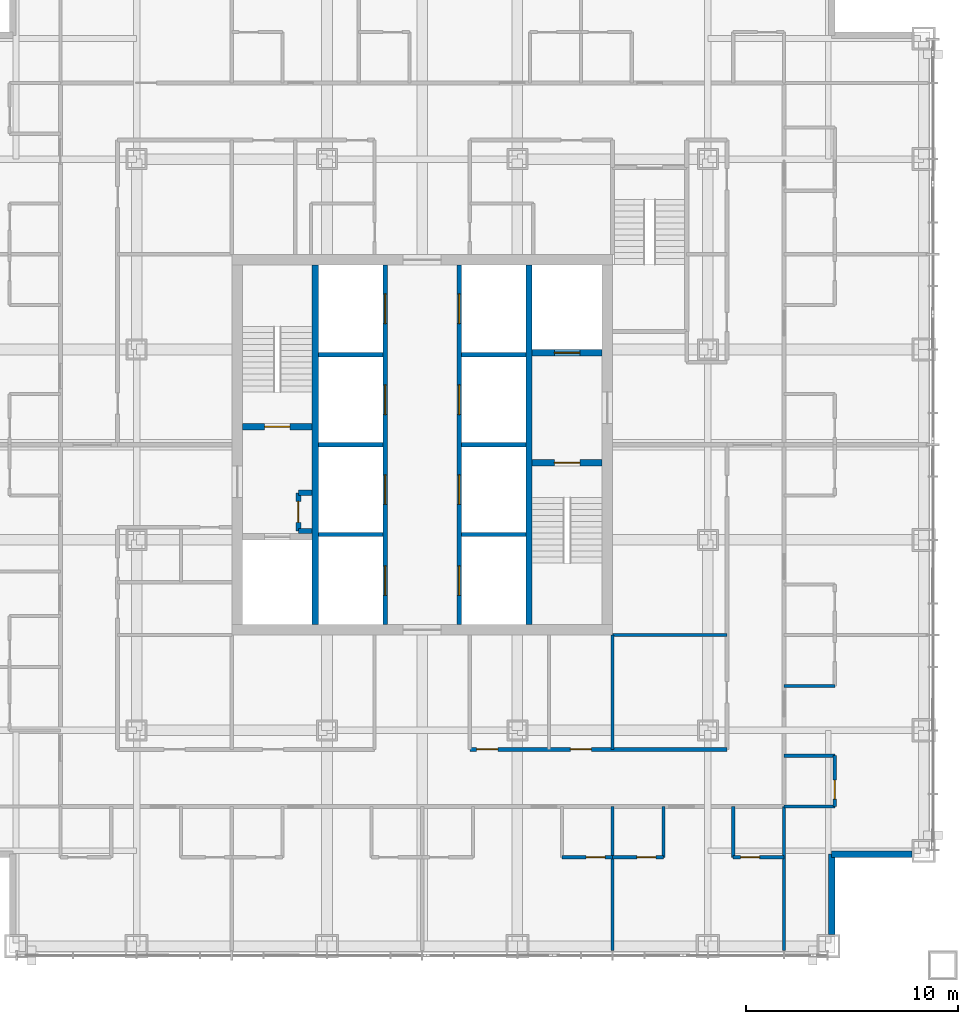
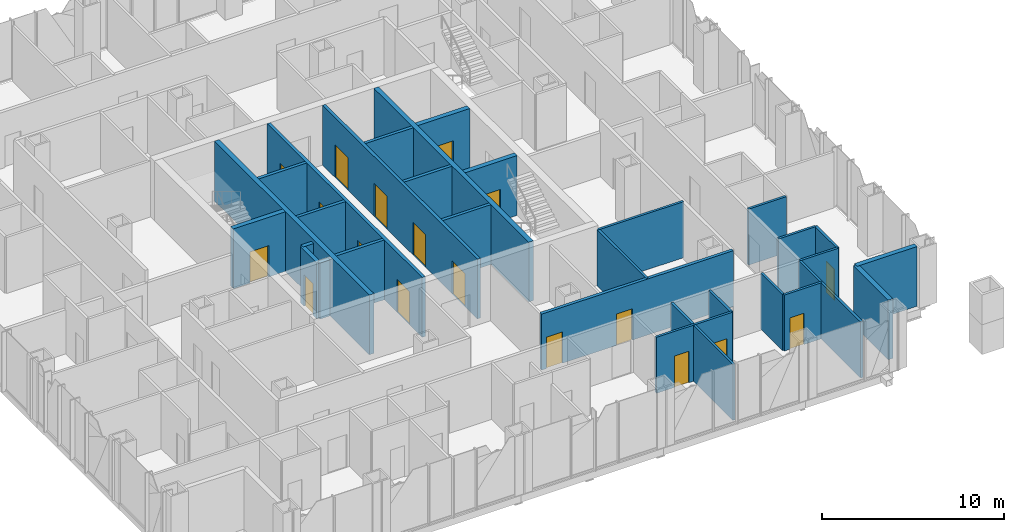
# One storey, part 10 of 23: 32 walls, 18 doors, 18 openings.
"""IFC4 building model written with IfcOpenShell, lengths in metres."""

from ifc_helpers import new_model, si_unit, direction, frame, frame_2d, origin, place, context, subcontext, project, spatial, rectangle, extrude, material, layer, layer_set, type_object, element, fill, save


model = new_model("IFC4")

# Units and contexts
model_context = context("Model", 3, precision=1e-05, world=origin(), true_north=direction((0.0, 1.0)))
body_context = subcontext(model_context, "Body", "Model", "MODEL_VIEW")
ifc_project = project(units=[si_unit("LENGTHUNIT", "METRE"), si_unit("AREAUNIT", "SQUARE_METRE"), si_unit("VOLUMEUNIT", "CUBIC_METRE"), si_unit("PLANEANGLEUNIT", "RADIAN"), si_unit("MASSUNIT", "GRAM", prefix="KILO")], contexts=[model_context])

# Site, building, storey
site_placement = place(None, origin())
site = spatial("IfcSite", under=ifc_project, at=site_placement, CompositionType="ELEMENT")
building_placement = place(site_placement, origin())
building = spatial("IfcBuilding", under=site, at=building_placement, Name="Malebo Sky Hospital", CompositionType="ELEMENT")
storey_placement = place(building_placement, frame((0.0, 0.0, 168.0)))
storey = spatial("IfcBuildingStorey", under=building, at=storey_placement, Name="L40", CompositionType="ELEMENT", Elevation=168.0)

# Wall, openings, doors
ifc_material_1 = material(Name="Concrete C80/95", Category="concrete")
ifc_layer_1 = layer(ifc_material_1, 0.199951171875)
ifc_layer_set_1 = layer_set([ifc_layer_1], Name="CORE INNER WALL 200")
wall_type_1 = type_object("IfcWallType", Name="CORE INNER WALL 200", PredefinedType="SHEAR", material=ifc_layer_set_1)
wall_1_placement = place(storey_placement, frame((58.25, 53.5, 0.0), z_axis=(0.0, 0.0, 1.0), x_axis=(0.0, 1.0, 0.0)))
wall_1 = element("IfcWall", 1, at=wall_1_placement, inside=storey, type_object=wall_type_1, Name="Core wall LW L40", PredefinedType="SHEAR", context=body_context, shape_type="SweptSolid", body=[
    extrude(rectangle(XDim=17.0, YDim=0.199951171875, at=frame_2d((8.5, 0.0))), origin(), (0.0, 0.0, 1.0), 4.0),
])
opening_1_placement = place(wall_1_placement, frame((1.375, 0.0, 0.0)))
opening_1 = element("IfcOpeningElement", 2, at=opening_1_placement, cuts=wall_1, Name="Opening LD1", PredefinedType="OPENING", context=body_context, shape_type="SweptSolid", body=[
    extrude(rectangle(XDim=1.39990234375, YDim=2.199951171875, at=frame_2d((0.699951171875, 1.10009765625))), frame((0.0, 0.10986328125, 0.0), z_axis=(0.0, -1.0, 0.0), x_axis=(1.0, 0.0, 0.0)), (0.0, 0.0, 1.0), 0.219970703125),
])
opening_2_placement = place(wall_1_placement, frame((5.675048828125, 0.0, 0.0)))
opening_2 = element("IfcOpeningElement", 3, at=opening_2_placement, cuts=wall_1, Name="Opening LD1", PredefinedType="OPENING", context=body_context, shape_type="SweptSolid", body=[
    extrude(rectangle(XDim=1.39990234375, YDim=2.199951171875, at=frame_2d((0.699951171875, 1.10009765625))), frame((0.0, 0.10986328125, 0.0), z_axis=(0.0, -1.0, 0.0), x_axis=(1.0, 0.0, 0.0)), (0.0, 0.0, 1.0), 0.219970703125),
])
opening_3_placement = place(wall_1_placement, frame((9.925048828125, 0.0, 0.0)))
opening_3 = element("IfcOpeningElement", 4, at=opening_3_placement, cuts=wall_1, Name="Opening LD1", PredefinedType="OPENING", context=body_context, shape_type="SweptSolid", body=[
    extrude(rectangle(XDim=1.39990234375, YDim=2.199951171875, at=frame_2d((0.699951171875, 1.10009765625))), frame((0.0, 0.10986328125, 0.0), z_axis=(0.0, -1.0, 0.0), x_axis=(1.0, 0.0, 0.0)), (0.0, 0.0, 1.0), 0.219970703125),
])
opening_4_placement = place(wall_1_placement, frame((14.22509765625, 0.0, 0.0)))
opening_4 = element("IfcOpeningElement", 5, at=opening_4_placement, cuts=wall_1, Name="Opening LD1", PredefinedType="OPENING", context=body_context, shape_type="SweptSolid", body=[
    extrude(rectangle(XDim=1.39990234375, YDim=2.199951171875, at=frame_2d((0.699951171875, 1.10009765625))), frame((0.0, 0.10986328125, 0.0), z_axis=(0.0, -1.0, 0.0), x_axis=(1.0, 0.0, 0.0)), (0.0, 0.0, 1.0), 0.219970703125),
])
ifc_material_2 = material(Name="Stainless steel sliding landing door", Category="steel")
door_type_1 = type_object("IfcDoorType", Name="LIFT LANDING DOOR 1400", OperationType="SLIDING_TO_LEFT", PredefinedType="DOOR", material=ifc_material_2)
door_1_placement = place(opening_1_placement, origin())
door_1 = element("IfcDoor", 6, at=door_1_placement, inside=storey, type_object=door_type_1, Name="Lift W1 landing door", OperationType="SLIDING_TO_LEFT", OverallHeight=2.199951171875, OverallWidth=1.39990234375, PredefinedType="DOOR", context=body_context, shape_type="SweptSolid", body=[
    extrude(rectangle(XDim=1.39990234375, YDim=2.199951171875, at=frame_2d((0.699951171875, 1.10009765625))), frame((0.0, 0.02490234375, 0.0), z_axis=(0.0, -1.0, 0.0), x_axis=(1.0, 0.0, 0.0)), (0.0, 0.0, 1.0), 0.050048828125),
])
fill(opening_1, door_1)
door_2_placement = place(opening_2_placement, origin())
door_2 = element("IfcDoor", 7, at=door_2_placement, inside=storey, type_object=door_type_1, Name="Lift W2 landing door", OperationType="SLIDING_TO_LEFT", OverallHeight=2.199951171875, OverallWidth=1.39990234375, PredefinedType="DOOR", context=body_context, shape_type="SweptSolid", body=[
    extrude(rectangle(XDim=1.39990234375, YDim=2.199951171875, at=frame_2d((0.699951171875, 1.10009765625))), frame((0.0, 0.02490234375, 0.0), z_axis=(0.0, -1.0, 0.0), x_axis=(1.0, 0.0, 0.0)), (0.0, 0.0, 1.0), 0.050048828125),
])
fill(opening_2, door_2)
door_3_placement = place(opening_3_placement, origin())
door_3 = element("IfcDoor", 8, at=door_3_placement, inside=storey, type_object=door_type_1, Name="Lift W3 landing door", OperationType="SLIDING_TO_LEFT", OverallHeight=2.199951171875, OverallWidth=1.39990234375, PredefinedType="DOOR", context=body_context, shape_type="SweptSolid", body=[
    extrude(rectangle(XDim=1.39990234375, YDim=2.199951171875, at=frame_2d((0.699951171875, 1.10009765625))), frame((0.0, 0.02490234375, 0.0), z_axis=(0.0, -1.0, 0.0), x_axis=(1.0, 0.0, 0.0)), (0.0, 0.0, 1.0), 0.050048828125),
])
fill(opening_3, door_3)
door_4_placement = place(opening_4_placement, origin())
door_4 = element("IfcDoor", 9, at=door_4_placement, inside=storey, type_object=door_type_1, Name="Lift W4 landing door", OperationType="SLIDING_TO_LEFT", OverallHeight=2.199951171875, OverallWidth=1.39990234375, PredefinedType="DOOR", context=body_context, shape_type="SweptSolid", body=[
    extrude(rectangle(XDim=1.39990234375, YDim=2.199951171875, at=frame_2d((0.699951171875, 1.10009765625))), frame((0.0, 0.02490234375, 0.0), z_axis=(0.0, -1.0, 0.0), x_axis=(1.0, 0.0, 0.0)), (0.0, 0.0, 1.0), 0.050048828125),
])
fill(opening_4, door_4)

wall_2_placement = place(storey_placement, frame((61.75, 53.5, 0.0), z_axis=(0.0, 0.0, 1.0), x_axis=(0.0, 1.0, 0.0)))
wall_2 = element("IfcWall", 10, at=wall_2_placement, inside=storey, type_object=wall_type_1, Name="Core wall LE L40", PredefinedType="SHEAR", context=body_context, shape_type="SweptSolid", body=[
    extrude(rectangle(XDim=17.0, YDim=0.199951171875, at=frame_2d((8.5, 0.0))), origin(), (0.0, 0.0, 1.0), 4.0),
])
opening_5_placement = place(wall_2_placement, frame((1.375, 0.0, 0.0)))
opening_5 = element("IfcOpeningElement", 11, at=opening_5_placement, cuts=wall_2, Name="Opening LD1", PredefinedType="OPENING", context=body_context, shape_type="SweptSolid", body=[
    extrude(rectangle(XDim=1.39990234375, YDim=2.199951171875, at=frame_2d((0.699951171875, 1.10009765625))), frame((0.0, 0.10986328125, 0.0), z_axis=(0.0, -1.0, 0.0), x_axis=(1.0, 0.0, 0.0)), (0.0, 0.0, 1.0), 0.219970703125),
])
opening_6_placement = place(wall_2_placement, frame((5.675048828125, 0.0, 0.0)))
opening_6 = element("IfcOpeningElement", 12, at=opening_6_placement, cuts=wall_2, Name="Opening LD1", PredefinedType="OPENING", context=body_context, shape_type="SweptSolid", body=[
    extrude(rectangle(XDim=1.39990234375, YDim=2.199951171875, at=frame_2d((0.699951171875, 1.10009765625))), frame((0.0, 0.10986328125, 0.0), z_axis=(0.0, -1.0, 0.0), x_axis=(1.0, 0.0, 0.0)), (0.0, 0.0, 1.0), 0.219970703125),
])
opening_7_placement = place(wall_2_placement, frame((9.925048828125, 0.0, 0.0)))
opening_7 = element("IfcOpeningElement", 13, at=opening_7_placement, cuts=wall_2, Name="Opening LD1", PredefinedType="OPENING", context=body_context, shape_type="SweptSolid", body=[
    extrude(rectangle(XDim=1.39990234375, YDim=2.199951171875, at=frame_2d((0.699951171875, 1.10009765625))), frame((0.0, 0.10986328125, 0.0), z_axis=(0.0, -1.0, 0.0), x_axis=(1.0, 0.0, 0.0)), (0.0, 0.0, 1.0), 0.219970703125),
])
opening_8_placement = place(wall_2_placement, frame((14.22509765625, 0.0, 0.0)))
opening_8 = element("IfcOpeningElement", 14, at=opening_8_placement, cuts=wall_2, Name="Opening LD1", PredefinedType="OPENING", context=body_context, shape_type="SweptSolid", body=[
    extrude(rectangle(XDim=1.39990234375, YDim=2.199951171875, at=frame_2d((0.699951171875, 1.10009765625))), frame((0.0, 0.10986328125, 0.0), z_axis=(0.0, -1.0, 0.0), x_axis=(1.0, 0.0, 0.0)), (0.0, 0.0, 1.0), 0.219970703125),
])
door_5_placement = place(opening_5_placement, origin())
door_5 = element("IfcDoor", 15, at=door_5_placement, inside=storey, type_object=door_type_1, Name="Lift E1 landing door", OperationType="SLIDING_TO_LEFT", OverallHeight=2.199951171875, OverallWidth=1.39990234375, PredefinedType="DOOR", context=body_context, shape_type="SweptSolid", body=[
    extrude(rectangle(XDim=1.39990234375, YDim=2.199951171875, at=frame_2d((0.699951171875, 1.10009765625))), frame((0.0, 0.02490234375, 0.0), z_axis=(0.0, -1.0, 0.0), x_axis=(1.0, 0.0, 0.0)), (0.0, 0.0, 1.0), 0.050048828125),
])
fill(opening_5, door_5)
door_6_placement = place(opening_6_placement, origin())
door_6 = element("IfcDoor", 16, at=door_6_placement, inside=storey, type_object=door_type_1, Name="Lift E2 landing door", OperationType="SLIDING_TO_LEFT", OverallHeight=2.199951171875, OverallWidth=1.39990234375, PredefinedType="DOOR", context=body_context, shape_type="SweptSolid", body=[
    extrude(rectangle(XDim=1.39990234375, YDim=2.199951171875, at=frame_2d((0.699951171875, 1.10009765625))), frame((0.0, 0.02490234375, 0.0), z_axis=(0.0, -1.0, 0.0), x_axis=(1.0, 0.0, 0.0)), (0.0, 0.0, 1.0), 0.050048828125),
])
fill(opening_6, door_6)
door_7_placement = place(opening_7_placement, origin())
door_7 = element("IfcDoor", 17, at=door_7_placement, inside=storey, type_object=door_type_1, Name="Lift E3 landing door", OperationType="SLIDING_TO_LEFT", OverallHeight=2.199951171875, OverallWidth=1.39990234375, PredefinedType="DOOR", context=body_context, shape_type="SweptSolid", body=[
    extrude(rectangle(XDim=1.39990234375, YDim=2.199951171875, at=frame_2d((0.699951171875, 1.10009765625))), frame((0.0, 0.02490234375, 0.0), z_axis=(0.0, -1.0, 0.0), x_axis=(1.0, 0.0, 0.0)), (0.0, 0.0, 1.0), 0.050048828125),
])
fill(opening_7, door_7)
door_8_placement = place(opening_8_placement, origin())
door_8 = element("IfcDoor", 18, at=door_8_placement, inside=storey, type_object=door_type_1, Name="Lift E4 landing door", OperationType="SLIDING_TO_LEFT", OverallHeight=2.199951171875, OverallWidth=1.39990234375, PredefinedType="DOOR", context=body_context, shape_type="SweptSolid", body=[
    extrude(rectangle(XDim=1.39990234375, YDim=2.199951171875, at=frame_2d((0.699951171875, 1.10009765625))), frame((0.0, 0.02490234375, 0.0), z_axis=(0.0, -1.0, 0.0), x_axis=(1.0, 0.0, 0.0)), (0.0, 0.0, 1.0), 0.050048828125),
])
fill(opening_8, door_8)

# Walls
for number, where, z_axis, x_axis, name in (
    (19, (55.10009765625, 57.75, 0.0), (0.0, 0.0, 1.0), (1.0, 0.0, 0.0), "Core wall SW0 L40"),
    (20, (61.85009765625, 57.75, 0.0), (0.0, 0.0, 1.0), (1.0, 0.0, 0.0), "Core wall SE0 L40"),
    (21, (55.10009765625, 62.0, 0.0), (0.0, 0.0, 1.0), (1.0, 0.0, 0.0), "Core wall SW1 L40"),
    (22, (61.85009765625, 62.0, 0.0), (0.0, 0.0, 1.0), (1.0, 0.0, 0.0), "Core wall SE1 L40"),
    (23, (55.10009765625, 66.25, 0.0), (0.0, 0.0, 1.0), (1.0, 0.0, 0.0), "Core wall SW2 L40"),
    (24, (61.85009765625, 66.25, 0.0), (0.0, 0.0, 1.0), (1.0, 0.0, 0.0), "Core wall SE2 L40"),
):
    element("IfcWall", number, at=place(storey_placement, frame(where, z_axis=z_axis, x_axis=x_axis)), inside=storey, type_object=wall_type_1, Name=name, PredefinedType="SHEAR", context=body_context, shape_type="SweptSolid", body=[
        extrude(rectangle(XDim=3.0498046875, YDim=0.199951171875, at=frame_2d((1.52490234375, 0.0))), origin(), (0.0, 0.0, 1.0), 4.0),
    ])
ifc_layer_2 = layer(ifc_material_1, 0.300048828125)
ifc_layer_set_2 = layer_set([ifc_layer_2], Name="CORE INNER WALL 300")
wall_type_2 = type_object("IfcWallType", Name="CORE INNER WALL 300", PredefinedType="SHEAR", material=ifc_layer_set_2)
for number, where, z_axis, x_axis, name in (
    (25, (54.949951171875, 53.5, 0.0), (0.0, 0.0, 1.0), (0.0, 1.0, 0.0), "Core wall XW L40"),
    (26, (65.050048828125, 53.5, 0.0), (0.0, 0.0, 1.0), (0.0, 1.0, 0.0), "Core wall XE L40"),
):
    element("IfcWall", number, at=place(storey_placement, frame(where, z_axis=z_axis, x_axis=x_axis)), inside=storey, type_object=wall_type_2, Name=name, PredefinedType="SHEAR", context=body_context, shape_type="SweptSolid", body=[
        extrude(rectangle(XDim=17.0, YDim=0.300048828125, at=frame_2d((8.5, 0.0))), origin(), (0.0, 0.0, 1.0), 4.0),
    ])

# Wall, opening, door
wall_3_placement = place(storey_placement, frame((51.5, 62.85009765625, 0.0), z_axis=(0.0, 0.0, 1.0), x_axis=(1.0, 0.0, 0.0)))
wall_3 = element("IfcWall", 27, at=wall_3_placement, inside=storey, type_object=wall_type_2, Name="Core wall W1 L40", PredefinedType="SHEAR", context=body_context, shape_type="SweptSolid", body=[
    extrude(rectangle(XDim=3.300048828125, YDim=0.300048828125, at=frame_2d((1.64990234375, 0.0))), origin(), (0.0, 0.0, 1.0), 4.0),
])
opening_9_placement = place(wall_3_placement, frame((1.050048828125, 0.0, 0.0)))
opening_9 = element("IfcOpeningElement", 28, at=opening_9_placement, cuts=wall_3, Name="Opening D08", PredefinedType="OPENING", context=body_context, shape_type="SweptSolid", body=[
    extrude(rectangle(XDim=1.199951171875, YDim=2.10009765625, at=frame_2d((0.60009765625, 1.050048828125))), frame((0.0, 0.159912109375, 0.0), z_axis=(0.0, -1.0, 0.0), x_axis=(1.0, 0.0, 0.0)), (0.0, 0.0, 1.0), 0.320068359375),
])
ifc_material_3 = material(Name="Hardwood-faced door leaf in steel frame", Category="steel")
door_type_2 = type_object("IfcDoorType", Name="STAIR DOOR 1200", OperationType="SINGLE_SWING_LEFT", PredefinedType="DOOR", material=ifc_material_3)
door_9_placement = place(opening_9_placement, origin())
door_9 = element("IfcDoor", 29, at=door_9_placement, inside=storey, type_object=door_type_2, Name="Stair S1 door", OperationType="SINGLE_SWING_LEFT", OverallHeight=2.10009765625, OverallWidth=1.199951171875, PredefinedType="DOOR", context=body_context, shape_type="SweptSolid", body=[
    extrude(rectangle(XDim=1.199951171875, YDim=2.10009765625, at=frame_2d((0.60009765625, 1.050048828125))), frame((0.0, 0.02490234375, 0.0), z_axis=(0.0, -1.0, 0.0), x_axis=(1.0, 0.0, 0.0)), (0.0, 0.0, 1.0), 0.050048828125),
])
fill(opening_9, door_9)

wall_4_placement = place(storey_placement, frame((65.199951171875, 61.14990234375, 0.0), z_axis=(0.0, 0.0, 1.0), x_axis=(1.0, 0.0, 0.0)))
wall_4 = element("IfcWall", 30, at=wall_4_placement, inside=storey, type_object=wall_type_2, Name="Core wall E1 L40", PredefinedType="SHEAR", context=body_context, shape_type="SweptSolid", body=[
    extrude(rectangle(XDim=3.300048828125, YDim=0.300048828125, at=frame_2d((1.64990234375, 0.0))), origin(), (0.0, 0.0, 1.0), 4.0),
])
opening_10_placement = place(wall_4_placement, frame((1.050048828125, 0.0, 0.0)))
opening_10 = element("IfcOpeningElement", 31, at=opening_10_placement, cuts=wall_4, Name="Opening D08", PredefinedType="OPENING", context=body_context, shape_type="SweptSolid", body=[
    extrude(rectangle(XDim=1.199951171875, YDim=2.10009765625, at=frame_2d((0.60009765625, 1.050048828125))), frame((0.0, 0.159912109375, 0.0), z_axis=(0.0, -1.0, 0.0), x_axis=(1.0, 0.0, 0.0)), (0.0, 0.0, 1.0), 0.320068359375),
])
door_10_placement = place(opening_10_placement, origin())
door_10 = element("IfcDoor", 32, at=door_10_placement, inside=storey, type_object=door_type_2, Name="Stair S2 door", OperationType="SINGLE_SWING_LEFT", OverallHeight=2.10009765625, OverallWidth=1.199951171875, PredefinedType="DOOR", context=body_context, shape_type="SweptSolid", body=[
    extrude(rectangle(XDim=1.199951171875, YDim=2.10009765625, at=frame_2d((0.60009765625, 1.050048828125))), frame((0.0, 0.02490234375, 0.0), z_axis=(0.0, -1.0, 0.0), x_axis=(1.0, 0.0, 0.0)), (0.0, 0.0, 1.0), 0.050048828125),
])
fill(opening_10, door_10)

wall_5_placement = place(storey_placement, frame((65.199951171875, 66.35009765625, 0.0), z_axis=(0.0, 0.0, 1.0), x_axis=(1.0, 0.0, 0.0)))
wall_5 = element("IfcWall", 33, at=wall_5_placement, inside=storey, type_object=wall_type_2, Name="Core wall E2 L40", PredefinedType="SHEAR", context=body_context, shape_type="SweptSolid", body=[
    extrude(rectangle(XDim=3.300048828125, YDim=0.300048828125, at=frame_2d((1.64990234375, 0.0))), origin(), (0.0, 0.0, 1.0), 4.0),
])
opening_11_placement = place(wall_5_placement, frame((1.050048828125, 0.0, 0.0)))
opening_11 = element("IfcOpeningElement", 34, at=opening_11_placement, cuts=wall_5, Name="Opening LD2", PredefinedType="OPENING", context=body_context, shape_type="SweptSolid", body=[
    extrude(rectangle(XDim=1.199951171875, YDim=2.199951171875, at=frame_2d((0.60009765625, 1.10009765625))), frame((0.0, 0.159912109375, 0.0), z_axis=(0.0, -1.0, 0.0), x_axis=(1.0, 0.0, 0.0)), (0.0, 0.0, 1.0), 0.320068359375),
])
door_type_3 = type_object("IfcDoorType", Name="FIRE-FIGHTING LIFT LANDING DOOR 1200", OperationType="SLIDING_TO_LEFT", PredefinedType="DOOR", material=ifc_material_2)
door_11_placement = place(opening_11_placement, origin())
door_11 = element("IfcDoor", 35, at=door_11_placement, inside=storey, type_object=door_type_3, Name="Lift FL2 landing door", OperationType="SLIDING_TO_LEFT", OverallHeight=2.199951171875, OverallWidth=1.199951171875, PredefinedType="DOOR", context=body_context, shape_type="SweptSolid", body=[
    extrude(rectangle(XDim=1.199951171875, YDim=2.199951171875, at=frame_2d((0.60009765625, 1.10009765625))), frame((0.0, 0.02490234375, 0.0), z_axis=(0.0, -1.0, 0.0), x_axis=(1.0, 0.0, 0.0)), (0.0, 0.0, 1.0), 0.050048828125),
])
fill(opening_11, door_11)

# Wall, openings, doors
ifc_material_4 = material(Name="Gypsum board on steel studs", Category="steel")
ifc_layer_3 = layer(ifc_material_4, 0.199951171875)
ifc_layer_set_3 = layer_set([ifc_layer_3], Name="CORRIDOR WALL 200")
wall_type_3 = type_object("IfcWallType", Name="CORRIDOR WALL 200", PredefinedType="PARTITIONING", material=ifc_layer_set_3)
wall_6_placement = place(storey_placement, frame((74.39990234375, 47.60009765625, 0.0), z_axis=(0.0, 0.0, 1.0), x_axis=(-1.0, 0.0, 0.0)))
wall_6 = element("IfcWall", 36, at=wall_6_placement, inside=storey, type_object=wall_type_3, Name="Corridor Wall 200 SCI1", PredefinedType="PARTITIONING", context=body_context, shape_type="SweptSolid", body=[
    extrude(rectangle(XDim=12.14990234375, YDim=0.199951171875, at=frame_2d((6.074951171875, 0.0))), origin(), (0.0, 0.0, 1.0), 3.75),
])
opening_12_placement = place(wall_6_placement, frame((6.39990234375, 0.0, 0.0)))
opening_12 = element("IfcOpeningElement", 37, at=opening_12_placement, cuts=wall_6, Name="Opening D03", PredefinedType="OPENING", context=body_context, shape_type="SweptSolid", body=[
    extrude(rectangle(XDim=1.0, YDim=2.10009765625, at=frame_2d((0.5, 1.050048828125))), frame((0.0, 0.10986328125, 0.0), z_axis=(0.0, -1.0, 0.0), x_axis=(1.0, 0.0, 0.0)), (0.0, 0.0, 1.0), 0.219970703125),
])
opening_13_placement = place(wall_6_placement, frame((10.824951171875, 0.0, 0.0)))
opening_13 = element("IfcOpeningElement", 38, at=opening_13_placement, cuts=wall_6, Name="Opening D03", PredefinedType="OPENING", context=body_context, shape_type="SweptSolid", body=[
    extrude(rectangle(XDim=1.0, YDim=2.10009765625, at=frame_2d((0.5, 1.050048828125))), frame((0.0, 0.10986328125, 0.0), z_axis=(0.0, -1.0, 0.0), x_axis=(1.0, 0.0, 0.0)), (0.0, 0.0, 1.0), 0.219970703125),
])
door_type_4 = type_object("IfcDoorType", Name="ROOM DOOR 1000", OperationType="SINGLE_SWING_LEFT", PredefinedType="DOOR", material=ifc_material_3)
door_12_placement = place(opening_12_placement, origin())
door_12 = element("IfcDoor", 39, at=door_12_placement, inside=storey, type_object=door_type_4, Name="Clean utility room door", OperationType="SINGLE_SWING_LEFT", OverallHeight=2.10009765625, OverallWidth=1.0, PredefinedType="DOOR", context=body_context, shape_type="SweptSolid", body=[
    extrude(rectangle(XDim=1.0, YDim=2.10009765625, at=frame_2d((0.5, 1.050048828125))), frame((0.0, 0.02490234375, 0.0), z_axis=(0.0, -1.0, 0.0), x_axis=(1.0, 0.0, 0.0)), (0.0, 0.0, 1.0), 0.050048828125),
])
fill(opening_12, door_12)
door_13_placement = place(opening_13_placement, origin())
door_13 = element("IfcDoor", 40, at=door_13_placement, inside=storey, type_object=door_type_4, Name="Patient education room door", OperationType="SINGLE_SWING_RIGHT", OverallHeight=2.10009765625, OverallWidth=1.0, PredefinedType="DOOR", context=body_context, shape_type="SweptSolid", body=[
    extrude(rectangle(XDim=1.0, YDim=2.10009765625, at=frame_2d((0.5, 1.050048828125))), frame((0.0, 0.02490234375, 0.0), z_axis=(0.0, -1.0, 0.0), x_axis=(1.0, 0.0, 0.0)), (0.0, 0.0, 1.0), 0.050048828125),
])
fill(opening_13, door_13)

# Walls
ifc_material_5 = material(Name="Anodised aluminium rainscreen on steel framing", Category="steel")
ifc_layer_4 = layer(ifc_material_5, 0.300048828125)
ifc_layer_set_4 = layer_set([ifc_layer_4], Name="NOTCH RAINSCREEN WALL 300")
wall_type_4 = type_object("IfcWallType", Name="NOTCH RAINSCREEN WALL 300", PredefinedType="ELEMENTEDWALL", material=ifc_layer_set_4)
for number, where, z_axis, x_axis, name in (
    (41, (83.14990234375, 42.64990234375, 0.0), (0.0, 0.0, 1.0), (-1.0, 0.0, 0.0), "Notch rainscreen wall E1 L40"),
    (42, (79.35009765625, 42.64990234375, 0.0), (0.0, 0.0, 1.0), (0.0, -1.0, 0.0), "Notch rainscreen wall E2 L40"),
):
    element("IfcWall", number, at=place(storey_placement, frame(where, z_axis=z_axis, x_axis=x_axis)), inside=storey, type_object=wall_type_4, Name=name, PredefinedType="ELEMENTEDWALL", context=body_context, shape_type="SweptSolid", body=[
        extrude(rectangle(XDim=3.7998046875, YDim=0.300048828125, at=frame_2d((1.89990234375, 0.0))), origin(), (0.0, 0.0, 1.0), 4.0),
    ])
ifc_layer_5 = layer(ifc_material_4, 0.14990234375)
ifc_layer_set_5 = layer_set([ifc_layer_5], Name="PARTITION 150")
wall_type_5 = type_object("IfcWallType", Name="PARTITION 150", PredefinedType="PARTITIONING", material=ifc_layer_set_5)
for number, where, z_axis, x_axis, name in (
    (43, (69.0, 44.89990234375, 0.0), (0.0, 0.0, 1.0), (0.0, -1.0, 0.0), "Partition 150 SP-9.0"),
    (44, (77.10009765625, 44.89990234375, 0.0), (0.0, 0.0, 1.0), (0.0, -1.0, 0.0), "Partition 150 SP0"),
):
    element("IfcWall", number, at=place(storey_placement, frame(where, z_axis=z_axis, x_axis=x_axis)), inside=storey, type_object=wall_type_5, Name=name, PredefinedType="PARTITIONING", context=body_context, shape_type="SweptSolid", body=[
        extrude(rectangle(XDim=6.809814453125, YDim=0.14990234375, at=frame_2d((3.40478515625, 0.0))), origin(), (0.0, 0.0, 1.0), 3.75),
    ])

# Wall, opening, door
wall_7_placement = place(storey_placement, frame((71.39990234375, 42.5, 0.0), z_axis=(0.0, 0.0, 1.0), x_axis=(-1.0, 0.0, 0.0)))
wall_7 = element("IfcWall", 45, at=wall_7_placement, inside=storey, type_object=wall_type_5, Name="Partition 150 SE0F", PredefinedType="PARTITIONING", context=body_context, shape_type="SweptSolid", body=[
    extrude(rectangle(XDim=2.39990234375, YDim=0.14990234375, at=frame_2d((1.199951171875, 0.0))), origin(), (0.0, 0.0, 1.0), 3.75),
])
opening_14_placement = place(wall_7_placement, frame((0.35009765625, 0.0, 0.0)))
opening_14 = element("IfcOpeningElement", 46, at=opening_14_placement, cuts=wall_7, Name="Opening D02", PredefinedType="OPENING", context=body_context, shape_type="SweptSolid", body=[
    extrude(rectangle(XDim=0.89990234375, YDim=2.10009765625, at=frame_2d((0.449951171875, 1.050048828125))), frame((0.0, 0.0849609375, 0.0), z_axis=(0.0, -1.0, 0.0), x_axis=(1.0, 0.0, 0.0)), (0.0, 0.0, 1.0), 0.169921875),
])
door_type_5 = type_object("IfcDoorType", Name="EN-SUITE DOOR 900", OperationType="SINGLE_SWING_LEFT", PredefinedType="DOOR", material=ifc_material_3)
door_14_placement = place(opening_14_placement, origin())
door_14 = element("IfcDoor", 47, at=door_14_placement, inside=storey, type_object=door_type_5, Name="En-suite door", OperationType="SINGLE_SWING_LEFT", OverallHeight=2.10009765625, OverallWidth=0.89990234375, PredefinedType="DOOR", context=body_context, shape_type="SweptSolid", body=[
    extrude(rectangle(XDim=0.89990234375, YDim=2.10009765625, at=frame_2d((0.449951171875, 1.050048828125))), frame((0.0, 0.02490234375, 0.0), z_axis=(0.0, -1.0, 0.0), x_axis=(1.0, 0.0, 0.0)), (0.0, 0.0, 1.0), 0.050048828125),
])
fill(opening_14, door_14)

# Wall
wall_8_placement = place(storey_placement, frame((71.39990234375, 44.89990234375, 0.0), z_axis=(0.0, 0.0, 1.0), x_axis=(0.0, -1.0, 0.0)))
element("IfcWall", 48, at=wall_8_placement, inside=storey, type_object=wall_type_5, Name="Partition 150 SE0S", PredefinedType="PARTITIONING", context=body_context, shape_type="SweptSolid", body=[
    extrude(rectangle(XDim=2.39990234375, YDim=0.14990234375, at=frame_2d((1.199951171875, 0.0))), origin(), (0.0, 0.0, 1.0), 3.75),
])

# Wall, opening, door
wall_9_placement = place(storey_placement, frame((77.10009765625, 42.5, 0.0), z_axis=(0.0, 0.0, 1.0), x_axis=(-1.0, 0.0, 0.0)))
wall_9 = element("IfcWall", 49, at=wall_9_placement, inside=storey, type_object=wall_type_5, Name="Partition 150 SG0F", PredefinedType="PARTITIONING", context=body_context, shape_type="SweptSolid", body=[
    extrude(rectangle(XDim=2.400146484375, YDim=0.14990234375, at=frame_2d((1.2001953125, 0.0))), origin(), (0.0, 0.0, 1.0), 3.75),
])
opening_15_placement = place(wall_9_placement, frame((1.14990234375, 0.0, 0.0)))
opening_15 = element("IfcOpeningElement", 50, at=opening_15_placement, cuts=wall_9, Name="Opening D02", PredefinedType="OPENING", context=body_context, shape_type="SweptSolid", body=[
    extrude(rectangle(XDim=0.89990234375, YDim=2.10009765625, at=frame_2d((0.449951171875, 1.050048828125))), frame((0.0, 0.0849609375, 0.0), z_axis=(0.0, -1.0, 0.0), x_axis=(1.0, 0.0, 0.0)), (0.0, 0.0, 1.0), 0.169921875),
])
door_15_placement = place(opening_15_placement, origin())
door_15 = element("IfcDoor", 51, at=door_15_placement, inside=storey, type_object=door_type_5, Name="En-suite door", OperationType="SINGLE_SWING_RIGHT", OverallHeight=2.10009765625, OverallWidth=0.89990234375, PredefinedType="DOOR", context=body_context, shape_type="SweptSolid", body=[
    extrude(rectangle(XDim=0.89990234375, YDim=2.10009765625, at=frame_2d((0.449951171875, 1.050048828125))), frame((0.0, 0.02490234375, 0.0), z_axis=(0.0, -1.0, 0.0), x_axis=(1.0, 0.0, 0.0)), (0.0, 0.0, 1.0), 0.050048828125),
])
fill(opening_15, door_15)

# Wall
wall_10_placement = place(storey_placement, frame((74.699951171875, 44.89990234375, 0.0), z_axis=(0.0, 0.0, 1.0), x_axis=(0.0, -1.0, 0.0)))
element("IfcWall", 52, at=wall_10_placement, inside=storey, type_object=wall_type_5, Name="Partition 150 SG0S", PredefinedType="PARTITIONING", context=body_context, shape_type="SweptSolid", body=[
    extrude(rectangle(XDim=2.39990234375, YDim=0.14990234375, at=frame_2d((1.199951171875, 0.0))), origin(), (0.0, 0.0, 1.0), 3.75),
])

# Wall, opening, door
wall_11_placement = place(storey_placement, frame((69.0, 42.5, 0.0), z_axis=(0.0, 0.0, 1.0), x_axis=(-1.0, 0.0, 0.0)))
wall_11 = element("IfcWall", 53, at=wall_11_placement, inside=storey, type_object=wall_type_5, Name="Partition 150 SE1F", PredefinedType="PARTITIONING", context=body_context, shape_type="SweptSolid", body=[
    extrude(rectangle(XDim=2.39990234375, YDim=0.14990234375, at=frame_2d((1.199951171875, 0.0))), origin(), (0.0, 0.0, 1.0), 3.75),
])
opening_16_placement = place(wall_11_placement, frame((0.35009765625, 0.0, 0.0)))
opening_16 = element("IfcOpeningElement", 54, at=opening_16_placement, cuts=wall_11, Name="Opening D02", PredefinedType="OPENING", context=body_context, shape_type="SweptSolid", body=[
    extrude(rectangle(XDim=0.89990234375, YDim=2.10009765625, at=frame_2d((0.449951171875, 1.050048828125))), frame((0.0, 0.0849609375, 0.0), z_axis=(0.0, -1.0, 0.0), x_axis=(1.0, 0.0, 0.0)), (0.0, 0.0, 1.0), 0.169921875),
])
door_16_placement = place(opening_16_placement, origin())
door_16 = element("IfcDoor", 55, at=door_16_placement, inside=storey, type_object=door_type_5, Name="En-suite door", OperationType="SINGLE_SWING_LEFT", OverallHeight=2.10009765625, OverallWidth=0.89990234375, PredefinedType="DOOR", context=body_context, shape_type="SweptSolid", body=[
    extrude(rectangle(XDim=0.89990234375, YDim=2.10009765625, at=frame_2d((0.449951171875, 1.050048828125))), frame((0.0, 0.02490234375, 0.0), z_axis=(0.0, -1.0, 0.0), x_axis=(1.0, 0.0, 0.0)), (0.0, 0.0, 1.0), 0.050048828125),
])
fill(opening_16, door_16)

# Walls
wall_12_placement = place(storey_placement, frame((69.0, 53.0, 0.0), z_axis=(0.0, 0.0, 1.0), x_axis=(0.0, -1.0, 0.0)))
element("IfcWall", 56, at=wall_12_placement, inside=storey, type_object=wall_type_5, Name="Partition 150 SSP0", PredefinedType="PARTITIONING", context=body_context, shape_type="SweptSolid", body=[
    extrude(rectangle(XDim=5.39990234375, YDim=0.14990234375, at=frame_2d((2.699951171875, 0.0))), origin(), (0.0, 0.0, 1.0), 3.75),
])
wall_13_placement = place(storey_placement, frame((77.10009765625, 50.60009765625, 0.0), z_axis=(0.0, 0.0, 1.0), x_axis=(1.0, 0.0, 0.0)))
element("IfcWall", 57, at=wall_13_placement, inside=storey, type_object=wall_type_5, Name="Partition 150 EE3S", PredefinedType="PARTITIONING", context=body_context, shape_type="SweptSolid", body=[
    extrude(rectangle(XDim=2.39990234375, YDim=0.14990234375, at=frame_2d((1.199951171875, 0.0))), origin(), (0.0, 0.0, 1.0), 3.75),
])

# Wall, opening, door
wall_14_placement = place(storey_placement, frame((79.5, 47.300048828125, 0.0), z_axis=(0.0, 0.0, 1.0), x_axis=(0.0, -1.0, 0.0)))
wall_14 = element("IfcWall", 58, at=wall_14_placement, inside=storey, type_object=wall_type_5, Name="Partition 150 EG3F", PredefinedType="PARTITIONING", context=body_context, shape_type="SweptSolid", body=[
    extrude(rectangle(XDim=2.400146484375, YDim=0.14990234375, at=frame_2d((1.2001953125, 0.0))), origin(), (0.0, 0.0, 1.0), 3.75),
])
opening_17_placement = place(wall_14_placement, frame((1.14990234375, 0.0, 0.0)))
opening_17 = element("IfcOpeningElement", 59, at=opening_17_placement, cuts=wall_14, Name="Opening D02", PredefinedType="OPENING", context=body_context, shape_type="SweptSolid", body=[
    extrude(rectangle(XDim=0.89990234375, YDim=2.10009765625, at=frame_2d((0.449951171875, 1.050048828125))), frame((0.0, 0.0849609375, 0.0), z_axis=(0.0, -1.0, 0.0), x_axis=(1.0, 0.0, 0.0)), (0.0, 0.0, 1.0), 0.169921875),
])
door_17_placement = place(opening_17_placement, origin())
door_17 = element("IfcDoor", 60, at=door_17_placement, inside=storey, type_object=door_type_5, Name="En-suite door", OperationType="SINGLE_SWING_RIGHT", OverallHeight=2.10009765625, OverallWidth=0.89990234375, PredefinedType="DOOR", context=body_context, shape_type="SweptSolid", body=[
    extrude(rectangle(XDim=0.89990234375, YDim=2.10009765625, at=frame_2d((0.449951171875, 1.050048828125))), frame((0.0, 0.02490234375, 0.0), z_axis=(0.0, -1.0, 0.0), x_axis=(1.0, 0.0, 0.0)), (0.0, 0.0, 1.0), 0.050048828125),
])
fill(opening_17, door_17)

# Walls
for number, where, z_axis, x_axis, name in (
    (61, (77.10009765625, 47.300048828125, 0.0), (0.0, 0.0, 1.0), (1.0, 0.0, 0.0), "Partition 150 EG3S"),
    (62, (77.10009765625, 44.89990234375, 0.0), (0.0, 0.0, 1.0), (1.0, 0.0, 0.0), "Partition 150 EEZ"),
):
    element("IfcWall", number, at=place(storey_placement, frame(where, z_axis=z_axis, x_axis=x_axis)), inside=storey, type_object=wall_type_5, Name=name, PredefinedType="PARTITIONING", context=body_context, shape_type="SweptSolid", body=[
        extrude(rectangle(XDim=2.39990234375, YDim=0.14990234375, at=frame_2d((1.199951171875, 0.0))), origin(), (0.0, 0.0, 1.0), 3.75),
    ])
wall_15_placement = place(storey_placement, frame((69.0, 53.0, 0.0), z_axis=(0.0, 0.0, 1.0), x_axis=(1.0, 0.0, 0.0)))
element("IfcWall", 63, at=wall_15_placement, inside=storey, type_object=wall_type_5, Name="Partition 150 ESP+9.0", PredefinedType="PARTITIONING", context=body_context, shape_type="SweptSolid", body=[
    extrude(rectangle(XDim=5.39990234375, YDim=0.14990234375, at=frame_2d((2.699951171875, 0.0))), origin(), (0.0, 0.0, 1.0), 3.75),
])
ifc_material_6 = material(Name="Concrete blockwork", Category="masonry")
ifc_layer_6 = layer(ifc_material_6, 0.25)
ifc_layer_set_6 = layer_set([ifc_layer_6], Name="PLANT ROOM WALL 250")
wall_type_6 = type_object("IfcWallType", Name="PLANT ROOM WALL 250", PredefinedType="SOLIDWALL", material=ifc_layer_set_6)
wall_16_placement = place(storey_placement, frame((54.800048828125, 59.72509765625, 0.0), z_axis=(0.0, 0.0, 1.0), x_axis=(-1.0, 0.0, 0.0)))
element("IfcWall", 64, at=wall_16_placement, inside=storey, type_object=wall_type_6, Name="Plant Room Wall 250 DRN", PredefinedType="SOLIDWALL", context=body_context, shape_type="SweptSolid", body=[
    extrude(rectangle(XDim=0.650146484375, YDim=0.25, at=frame_2d((0.3251953125, 0.0))), origin(), (0.0, 0.0, 1.0), 3.75),
])

# Wall, opening, door
wall_17_placement = place(storey_placement, frame((54.14990234375, 59.72509765625, 0.0), z_axis=(0.0, 0.0, 1.0), x_axis=(0.0, -1.0, 0.0)))
wall_17 = element("IfcWall", 65, at=wall_17_placement, inside=storey, type_object=wall_type_6, Name="Plant Room Wall 250 DRW", PredefinedType="SOLIDWALL", context=body_context, shape_type="SweptSolid", body=[
    extrude(rectangle(XDim=1.800048828125, YDim=0.25, at=frame_2d((0.89990234375, 0.0))), origin(), (0.0, 0.0, 1.0), 3.75),
])
opening_18_placement = place(wall_17_placement, frame((0.39990234375, 0.0, 0.0)))
opening_18 = element("IfcOpeningElement", 66, at=opening_18_placement, cuts=wall_17, Name="Opening D17", PredefinedType="OPENING", context=body_context, shape_type="SweptSolid", body=[
    extrude(rectangle(XDim=1.0, YDim=2.10009765625, at=frame_2d((0.5, 1.050048828125))), frame((0.0, 0.135009765625, 0.0), z_axis=(0.0, -1.0, 0.0), x_axis=(1.0, 0.0, 0.0)), (0.0, 0.0, 1.0), 0.27001953125),
])
door_type_6 = type_object("IfcDoorType", Name="FIRE DOOR 1000", OperationType="SINGLE_SWING_LEFT", PredefinedType="DOOR", material=ifc_material_3)
door_18_placement = place(opening_18_placement, origin())
door_18 = element("IfcDoor", 67, at=door_18_placement, inside=storey, type_object=door_type_6, Name="Dry riser cupboard door", OperationType="SINGLE_SWING_LEFT", OverallHeight=2.10009765625, OverallWidth=1.0, PredefinedType="DOOR", context=body_context, shape_type="SweptSolid", body=[
    extrude(rectangle(XDim=1.0, YDim=2.10009765625, at=frame_2d((0.5, 1.050048828125))), frame((0.0, 0.02490234375, 0.0), z_axis=(0.0, -1.0, 0.0), x_axis=(1.0, 0.0, 0.0)), (0.0, 0.0, 1.0), 0.050048828125),
])
fill(opening_18, door_18)

# Wall
wall_18_placement = place(storey_placement, frame((54.14990234375, 57.925048828125, 0.0), z_axis=(0.0, 0.0, 1.0), x_axis=(1.0, 0.0, 0.0)))
element("IfcWall", 68, at=wall_18_placement, inside=storey, type_object=wall_type_6, Name="Plant Room Wall 250 DRS", PredefinedType="SOLIDWALL", context=body_context, shape_type="SweptSolid", body=[
    extrude(rectangle(XDim=0.650146484375, YDim=0.25, at=frame_2d((0.3251953125, 0.0))), origin(), (0.0, 0.0, 1.0), 3.75),
])

save(model, "model.ifc")
